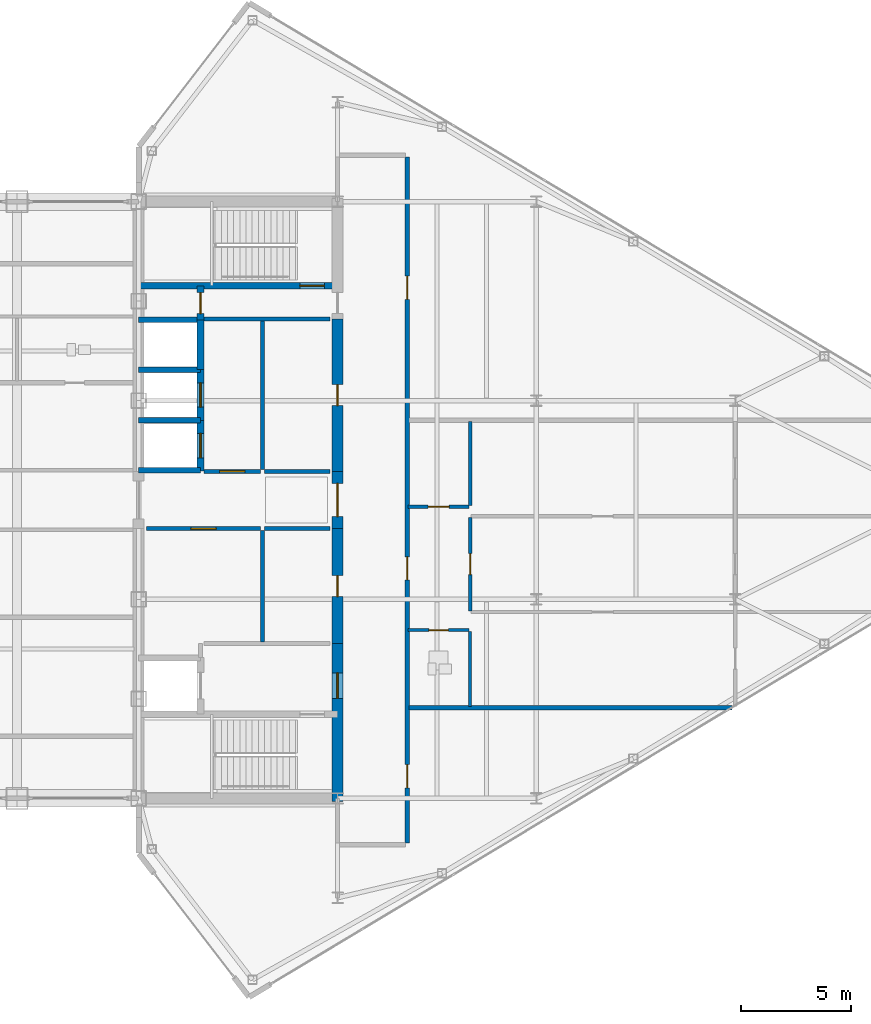
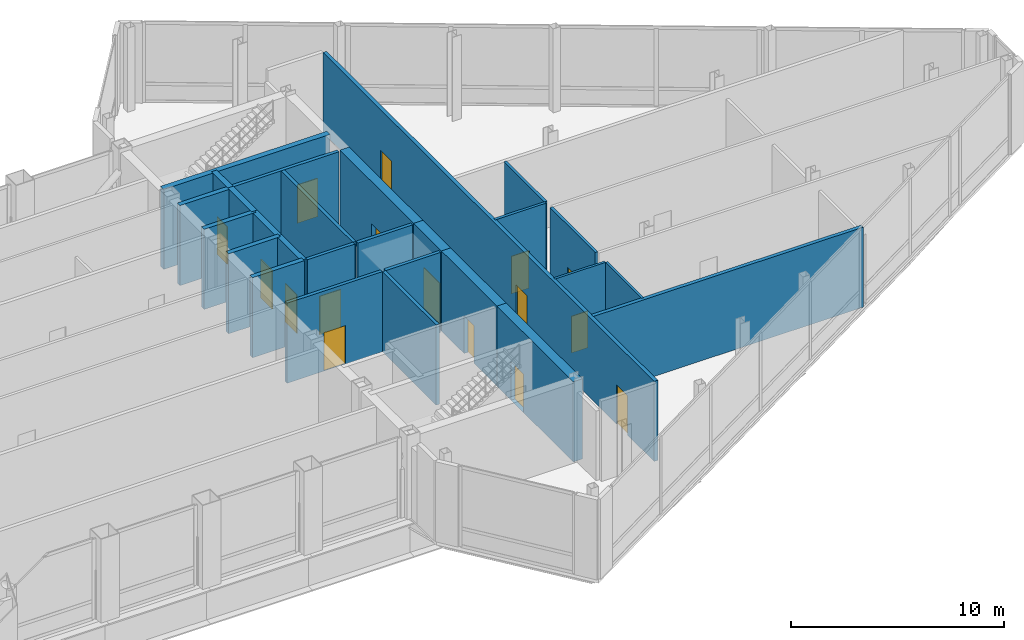
# One storey, part 25 of 30: 27 walls, 16 doors, 16 openings.
"""IFC4 building model written with IfcOpenShell, lengths in metres."""

from ifc_helpers import new_model, si_unit, direction, frame, frame_2d, origin, place, context, subcontext, project, spatial, rectangle, extrude, source, transform, mapped, material, layer, layer_set, type_object, type_shapes, element, fill, save


model = new_model("IFC4")

# Units and contexts
model_context = context("Model", 3, precision=1e-05, world=origin(), true_north=direction((0.0, 1.0)))
body_context = subcontext(model_context, "Body", "Model", "MODEL_VIEW")
ifc_project = project(units=[si_unit("LENGTHUNIT", "METRE"), si_unit("AREAUNIT", "SQUARE_METRE"), si_unit("VOLUMEUNIT", "CUBIC_METRE"), si_unit("PLANEANGLEUNIT", "RADIAN"), si_unit("MASSUNIT", "GRAM", prefix="KILO")], contexts=[model_context])

# Site, building, storey
site_placement = place(None, origin())
site = spatial("IfcSite", under=ifc_project, at=site_placement, CompositionType="ELEMENT")
building_placement = place(site_placement, origin())
building = spatial("IfcBuilding", under=site, at=building_placement, Name="Seokmaru Belvedere", CompositionType="ELEMENT")
storey_placement = place(building_placement, frame((0.0, 0.0, 234.60009765625)))
storey = spatial("IfcBuildingStorey", under=building, at=storey_placement, Name="L62", CompositionType="ELEMENT", Elevation=234.60009765625)

# Wall, opening, door
ifc_material_1 = material(Name="Fire-Rated Gypsum Shaftwall")
ifc_layer_1 = layer(ifc_material_1, 0.14990234375)
ifc_layer_set_1 = layer_set([ifc_layer_1], Name="Fire-Rated Gypsum Shaftwall")
wall_type_1 = type_object("IfcWallType", Name="Apartment Fire-Acoustic Room Partition 150", PredefinedType="PARTITIONING", material=ifc_layer_set_1)
wall_1_placement = place(storey_placement, frame((39.699951171875, -0.300048828125, 0.0), z_axis=(0.0, 0.0, 1.0), x_axis=(1.0, 0.0, 0.0)))
wall_1 = element("IfcWall", 1, at=wall_1_placement, inside=storey, type_object=wall_type_1, Name="L62 Interior Partition 016", PredefinedType="PARTITIONING", context=body_context, shape_type="SweptSolid", body=[
    extrude(rectangle(XDim=2.75, YDim=0.14990234375, at=frame_2d((1.375, 0.0))), origin(), (0.0, 0.0, 1.0), 4.579833984375),
])
opening_1_placement = place(wall_1_placement, frame((0.89990234375, 0.0, 0.0)))
opening_1 = element("IfcOpeningElement", 2, at=opening_1_placement, cuts=wall_1, Name="Opening D05", PredefinedType="OPENING", context=body_context, shape_type="SweptSolid", body=[
    extrude(rectangle(XDim=0.949951171875, YDim=2.14990234375, at=frame_2d((0.47509765625, 1.074951171875))), frame((0.0, 0.0849609375, 0.0), z_axis=(0.0, -1.0, 0.0), x_axis=(1.0, 0.0, 0.0)), (0.0, 0.0, 1.0), 0.169921875),
])
ifc_material_2 = material(Name="Engineered White Oak Timber", Category="wood")
door_type_1 = type_object("IfcDoorType", Name="Apartment Interior Fire-Rated Oak Door 950x2150", OperationType="NOTDEFINED", PredefinedType="DOOR", material=ifc_material_2)
shared_shape_1 = source(origin(), body_context, "Body", "SweptSolid", [
    extrude(rectangle(XDim=0.949951171875, YDim=2.14990234375, at=frame_2d((0.47509765625, 1.074951171875))), frame((0.0, 0.02490234375, 0.0), z_axis=(0.0, -1.0, 0.0), x_axis=(1.0, 0.0, 0.0)), (0.0, 0.0, 1.0), 0.050048828125),
])
type_shapes(door_type_1, [shared_shape_1])
door_1_placement = place(opening_1_placement, origin())
door_1 = element("IfcDoor", 3, at=door_1_placement, inside=storey, type_object=door_type_1, Name="L62 Interior Door 015", OperationType="SINGLE_SWING_RIGHT", OverallHeight=2.14990234375, OverallWidth=0.949951171875, PredefinedType="DOOR", context=body_context, shape_type="MappedRepresentation", body=[
    mapped(shared_shape_1, transform((0.0, 0.0, 0.0), scale=1.0)),
])
fill(opening_1, door_1)

wall_2_placement = place(storey_placement, frame((42.5, -5.01708984375, 0.0), z_axis=(0.0, 0.0, 1.0), x_axis=(0.0, 1.0, 0.0)))
wall_2 = element("IfcWall", 4, at=wall_2_placement, inside=storey, type_object=wall_type_1, Name="L62 Interior Partition 047", PredefinedType="PARTITIONING", context=body_context, shape_type="SweptSolid", body=[
    extrude(rectangle(XDim=4.234130859375, YDim=0.14990234375, at=frame_2d((2.1171875, 0.0))), origin(), (0.0, 0.0, 1.0), 4.579833984375),
])
opening_2_placement = place(wall_2_placement, frame((1.64208984375, 0.0, 0.0)))
opening_2 = element("IfcOpeningElement", 5, at=opening_2_placement, cuts=wall_2, Name="Opening D05", PredefinedType="OPENING", context=body_context, shape_type="SweptSolid", body=[
    extrude(rectangle(XDim=0.949951171875, YDim=2.14990234375, at=frame_2d((0.47509765625, 1.074951171875))), frame((0.0, 0.0849609375, 0.0), z_axis=(0.0, -1.0, 0.0), x_axis=(1.0, 0.0, 0.0)), (0.0, 0.0, 1.0), 0.169921875),
])
door_2_placement = place(opening_2_placement, origin())
door_2 = element("IfcDoor", 6, at=door_2_placement, inside=storey, type_object=door_type_1, Name="L62 Interior Door 016", OperationType="SINGLE_SWING_LEFT", OverallHeight=2.14990234375, OverallWidth=0.949951171875, PredefinedType="DOOR", context=body_context, shape_type="MappedRepresentation", body=[
    mapped(shared_shape_1, transform((0.0, 0.0, 0.0), scale=1.0)),
])
fill(opening_2, door_2)

# Walls
wall_3_placement = place(storey_placement, frame((42.5, -0.248046875, 0.0), z_axis=(0.0, 0.0, 1.0), x_axis=(0.0, 1.0, 0.0)))
element("IfcWall", 7, at=wall_3_placement, inside=storey, type_object=wall_type_1, Name="L62 Interior Partition 048", PredefinedType="PARTITIONING", context=body_context, shape_type="SweptSolid", body=[
    extrude(rectangle(XDim=3.798095703125, YDim=0.14990234375, at=frame_2d((1.89892578125, 0.0))), origin(), (0.0, 0.0, 1.0), 4.579833984375),
])
ifc_layer_2 = layer(ifc_material_1, 0.179931640625)
ifc_layer_set_2 = layer_set([ifc_layer_2], Name="Fire-Rated Gypsum Shaftwall")
wall_type_2 = type_object("IfcWallType", Name="Core Service Fire Partition 180", PredefinedType="PARTITIONING", material=ifc_layer_set_2)
wall_4_placement = place(storey_placement, frame((30.449951171875, 8.199951171875, 0.0), z_axis=(0.0, 0.0, 1.0), x_axis=(1.0, 0.0, 0.0)))
element("IfcWall", 8, at=wall_4_placement, inside=storey, type_object=wall_type_2, Name="L62 East Smokeproof Vestibule Partition", PredefinedType="PARTITIONING", context=body_context, shape_type="SweptSolid", body=[
    extrude(rectangle(XDim=5.699951171875, YDim=0.179931640625, at=frame_2d((2.85009765625, 0.0))), origin(), (0.0, 0.0, 1.0), 4.579833984375),
])
wall_5_placement = place(storey_placement, frame((33.10009765625, -6.419921875, 0.0), z_axis=(0.0, 0.0, 1.0), x_axis=(0.0, 1.0, 0.0)))
element("IfcWall", 9, at=wall_5_placement, inside=storey, type_object=wall_type_2, Name="L62 East South Core Service Back Wall", PredefinedType="PARTITIONING", context=body_context, shape_type="SweptSolid", body=[
    extrude(rectangle(XDim=5.0400390625, YDim=0.179931640625, at=frame_2d((2.52001953125, 0.0))), origin(), (0.0, 0.0, 1.0), 4.579833984375),
])
wall_6_placement = place(storey_placement, frame((33.10009765625, 1.3798828125, 0.0), z_axis=(0.0, 0.0, 1.0), x_axis=(0.0, 1.0, 0.0)))
element("IfcWall", 10, at=wall_6_placement, inside=storey, type_object=wall_type_2, Name="L62 East North Core Service Back Wall", PredefinedType="PARTITIONING", context=body_context, shape_type="SweptSolid", body=[
    extrude(rectangle(XDim=6.740234375, YDim=0.179931640625, at=frame_2d((3.3701171875, 0.0))), origin(), (0.0, 0.0, 1.0), 4.579833984375),
])

# Wall, opening, door
wall_7_placement = place(storey_placement, frame((27.85009765625, -1.300048828125, 0.0), z_axis=(0.0, 0.0, 1.0), x_axis=(1.0, 0.0, 0.0)))
wall_7 = element("IfcWall", 11, at=wall_7_placement, inside=storey, type_object=wall_type_2, Name="L62 East South Lift Lobby Foyer Wall", PredefinedType="PARTITIONING", context=body_context, shape_type="SweptSolid", body=[
    extrude(rectangle(XDim=5.169921875, YDim=0.179931640625, at=frame_2d((2.5849609375, 0.0))), origin(), (0.0, 0.0, 1.0), 4.579833984375),
])
opening_3_placement = place(wall_7_placement, frame((2.010009765625, 0.0, 0.0)))
opening_3 = element("IfcOpeningElement", 12, at=opening_3_placement, cuts=wall_7, Name="Opening D02", PredefinedType="OPENING", context=body_context, shape_type="SweptSolid", body=[
    extrude(rectangle(XDim=1.14990234375, YDim=2.199951171875, at=frame_2d((0.574951171875, 1.10009765625))), frame((0.0, 0.10009765625, 0.0), z_axis=(0.0, -1.0, 0.0), x_axis=(1.0, 0.0, 0.0)), (0.0, 0.0, 1.0), 0.199951171875),
])
ifc_material_3 = material(Name="Fire-Rated Steel Leaf", Category="steel")
door_type_2 = type_object("IfcDoorType", Name="Lobby and Vestibule Fire Door 1150x2200", OperationType="NOTDEFINED", PredefinedType="DOOR", material=ifc_material_3)
shared_shape_2 = source(origin(), body_context, "Body", "SweptSolid", [
    extrude(rectangle(XDim=1.14990234375, YDim=2.199951171875, at=frame_2d((0.574951171875, 1.10009765625))), frame((0.0, 0.02490234375, 0.0), z_axis=(0.0, -1.0, 0.0), x_axis=(1.0, 0.0, 0.0)), (0.0, 0.0, 1.0), 0.050048828125),
])
type_shapes(door_type_2, [shared_shape_2])
door_3_placement = place(opening_3_placement, origin())
door_3 = element("IfcDoor", 13, at=door_3_placement, inside=storey, type_object=door_type_2, Name="L62 East South Core Foyer Door", OperationType="SINGLE_SWING_RIGHT", OverallHeight=2.199951171875, OverallWidth=1.14990234375, PredefinedType="DOOR", context=body_context, shape_type="MappedRepresentation", body=[
    mapped(shared_shape_2, transform((0.0, 0.0, 0.0), scale=1.0)),
])
fill(opening_3, door_3)

wall_8_placement = place(storey_placement, frame((30.449951171875, 1.300048828125, 0.0), z_axis=(0.0, 0.0, 1.0), x_axis=(1.0, 0.0, 0.0)))
wall_8 = element("IfcWall", 14, at=wall_8_placement, inside=storey, type_object=wall_type_2, Name="L62 East North Lift Lobby Foyer Wall", PredefinedType="PARTITIONING", context=body_context, shape_type="SweptSolid", body=[
    extrude(rectangle(XDim=2.570068359375, YDim=0.179931640625, at=frame_2d((1.28515625, 0.0))), origin(), (0.0, 0.0, 1.0), 4.579833984375),
])
opening_4_placement = place(wall_8_placement, frame((0.7099609375, 0.0, 0.0)))
opening_4 = element("IfcOpeningElement", 15, at=opening_4_placement, cuts=wall_8, Name="Opening D02", PredefinedType="OPENING", context=body_context, shape_type="SweptSolid", body=[
    extrude(rectangle(XDim=1.14990234375, YDim=2.199951171875, at=frame_2d((0.574951171875, 1.10009765625))), frame((0.0, 0.10009765625, 0.0), z_axis=(0.0, -1.0, 0.0), x_axis=(1.0, 0.0, 0.0)), (0.0, 0.0, 1.0), 0.199951171875),
])
door_4_placement = place(opening_4_placement, origin())
door_4 = element("IfcDoor", 16, at=door_4_placement, inside=storey, type_object=door_type_2, Name="L62 East North Lift Lobby Door", OperationType="SINGLE_SWING_LEFT", OverallHeight=2.199951171875, OverallWidth=1.14990234375, PredefinedType="DOOR", context=body_context, shape_type="MappedRepresentation", body=[
    mapped(shared_shape_2, transform((0.0, 0.0, 0.0), scale=1.0)),
])
fill(opening_4, door_4)

# Walls
for number, where, z_axis, x_axis, name in (
    (17, (33.199951171875, -1.300048828125, 0.0), (0.0, 0.0, 1.0), (1.0, 0.0, 0.0), "L62 East Foyer Side Wall S"),
    (18, (33.199951171875, 1.300048828125, 0.0), (0.0, 0.0, 1.0), (1.0, 0.0, 0.0), "L62 East Foyer Side Wall N"),
):
    element("IfcWall", number, at=place(storey_placement, frame(where, z_axis=z_axis, x_axis=x_axis)), inside=storey, type_object=wall_type_2, Name=name, PredefinedType="PARTITIONING", context=body_context, shape_type="SweptSolid", body=[
        extrude(rectangle(XDim=2.949951171875, YDim=0.179931640625, at=frame_2d((1.47509765625, 0.0))), origin(), (0.0, 0.0, 1.0), 4.579833984375),
    ])
ifc_material_4 = material(Name="Concrete C50 (50 MPa)", Category="concrete")
ifc_layer_3 = layer(ifc_material_4, 0.25)
ifc_layer_set_3 = layer_set([ifc_layer_3], Name="Concrete C50 (50 MPa)")
wall_type_3 = type_object("IfcWallType", Name="Hoistway Transverse Concrete Divider Wall 250", PredefinedType="SHEAR", material=ifc_layer_set_3)
for number, where, z_axis, x_axis, name in (
    (19, (27.5, 1.35009765625, 0.0), (0.0, 0.0, 1.0), (1.0, 0.0, 0.0), "L62 East Hoistway Divider Core Wall 2"),
    (20, (27.5, 3.60009765625, 0.0), (0.0, 0.0, 1.0), (1.0, 0.0, 0.0), "L62 East Hoistway Divider Core Wall 3"),
    (21, (27.5, 5.89990234375, 0.0), (0.0, 0.0, 1.0), (1.0, 0.0, 0.0), "L62 East Hoistway Divider Core Wall 4"),
    (22, (27.5, 8.14990234375, 0.0), (0.0, 0.0, 1.0), (1.0, 0.0, 0.0), "L62 East Hoistway Divider Core Wall 5"),
):
    element("IfcWall", number, at=place(storey_placement, frame(where, z_axis=z_axis, x_axis=x_axis)), inside=storey, type_object=wall_type_3, Name=name, PredefinedType="SHEAR", context=body_context, shape_type="SweptSolid", body=[
        extrude(rectangle(XDim=2.800048828125, YDim=0.25, at=frame_2d((1.39990234375, 0.0))), origin(), (0.0, 0.0, 1.0), 4.579833984375),
    ])
ifc_layer_4 = layer(ifc_material_1, 0.199951171875)
ifc_layer_set_4 = layer_set([ifc_layer_4], Name="Fire-Rated Gypsum Shaftwall")
wall_type_4 = type_object("IfcWallType", Name="Inter-Tenancy Fire Compartment Partition 200", PredefinedType="PARTITIONING", material=ifc_layer_set_4)
wall_9_placement = place(storey_placement, frame((39.72998046875, -9.39990234375, 0.0), z_axis=(0.0, 0.0, 1.0), x_axis=(1.0, 0.0, 0.0)))
element("IfcWall", 23, at=wall_9_placement, inside=storey, type_object=wall_type_4, Name="L62 Interior Partition 005", PredefinedType="PARTITIONING", context=body_context, shape_type="SweptSolid", body=[
    extrude(rectangle(XDim=14.613037109375, YDim=0.199951171875, at=frame_2d((7.306640625, 0.0))), origin(), (0.0, 0.0, 1.0), 4.579833984375),
])

# Wall, openings, doors
wall_10_placement = place(storey_placement, frame((39.64990234375, -15.514892578125, 0.0), z_axis=(0.0, 0.0, 1.0), x_axis=(0.0, 1.0, 0.0)))
wall_10 = element("IfcWall", 24, at=wall_10_placement, inside=storey, type_object=wall_type_4, Name="L62 Interior Partition 045", PredefinedType="PARTITIONING", context=body_context, shape_type="SweptSolid", body=[
    extrude(rectangle(XDim=31.02978515625, YDim=0.199951171875, at=frame_2d((15.514892578125, 0.0))), origin(), (0.0, 0.0, 1.0), 4.579833984375),
])
opening_5_placement = place(wall_10_placement, frame((2.489990234375, 0.0, 0.0)))
opening_5 = element("IfcOpeningElement", 25, at=opening_5_placement, cuts=wall_10, Name="Opening D03", PredefinedType="OPENING", context=body_context, shape_type="SweptSolid", body=[
    extrude(rectangle(XDim=1.050048828125, YDim=2.25, at=frame_2d((0.52490234375, 1.125))), frame((0.0, 0.10986328125, 0.0), z_axis=(0.0, -1.0, 0.0), x_axis=(1.0, 0.0, 0.0)), (0.0, 0.0, 1.0), 0.219970703125),
])
opening_6_placement = place(wall_10_placement, frame((11.89501953125, 0.0, 0.0)))
opening_6 = element("IfcOpeningElement", 26, at=opening_6_placement, cuts=wall_10, Name="Opening D03", PredefinedType="OPENING", context=body_context, shape_type="SweptSolid", body=[
    extrude(rectangle(XDim=1.050048828125, YDim=2.25, at=frame_2d((0.52490234375, 1.125))), frame((0.0, 0.10986328125, 0.0), z_axis=(0.0, -1.0, 0.0), x_axis=(1.0, 0.0, 0.0)), (0.0, 0.0, 1.0), 0.219970703125),
])
opening_7_placement = place(wall_10_placement, frame((24.590087890625, 0.0, 0.0)))
opening_7 = element("IfcOpeningElement", 27, at=opening_7_placement, cuts=wall_10, Name="Opening D03", PredefinedType="OPENING", context=body_context, shape_type="SweptSolid", body=[
    extrude(rectangle(XDim=1.050048828125, YDim=2.25, at=frame_2d((0.52490234375, 1.125))), frame((0.0, 0.10986328125, 0.0), z_axis=(0.0, -1.0, 0.0), x_axis=(1.0, 0.0, 0.0)), (0.0, 0.0, 1.0), 0.219970703125),
])
door_type_3 = type_object("IfcDoorType", Name="Apartment Entrance Fire Door 1050x2250", OperationType="NOTDEFINED", PredefinedType="DOOR", material=ifc_material_3)
shared_shape_3 = source(origin(), body_context, "Body", "SweptSolid", [
    extrude(rectangle(XDim=1.050048828125, YDim=2.25, at=frame_2d((0.52490234375, 1.125))), frame((0.0, 0.02490234375, 0.0), z_axis=(0.0, -1.0, 0.0), x_axis=(1.0, 0.0, 0.0)), (0.0, 0.0, 1.0), 0.050048828125),
])
type_shapes(door_type_3, [shared_shape_3])
door_5_placement = place(opening_5_placement, origin())
door_5 = element("IfcDoor", 28, at=door_5_placement, inside=storey, type_object=door_type_3, Name="L62 Interior Door 012", OperationType="SINGLE_SWING_LEFT", OverallHeight=2.25, OverallWidth=1.050048828125, PredefinedType="DOOR", context=body_context, shape_type="MappedRepresentation", body=[
    mapped(shared_shape_3, transform((0.0, 0.0, 0.0), scale=1.0)),
])
fill(opening_5, door_5)
door_6_placement = place(opening_6_placement, origin())
door_6 = element("IfcDoor", 29, at=door_6_placement, inside=storey, type_object=door_type_3, Name="L62 Interior Door 013", OperationType="SINGLE_SWING_RIGHT", OverallHeight=2.25, OverallWidth=1.050048828125, PredefinedType="DOOR", context=body_context, shape_type="MappedRepresentation", body=[
    mapped(shared_shape_3, transform((0.0, 0.0, 0.0), scale=1.0)),
])
fill(opening_6, door_6)
door_7_placement = place(opening_7_placement, origin())
door_7 = element("IfcDoor", 30, at=door_7_placement, inside=storey, type_object=door_type_3, Name="L62 Interior Door 022", OperationType="SINGLE_SWING_LEFT", OverallHeight=2.25, OverallWidth=1.050048828125, PredefinedType="DOOR", context=body_context, shape_type="MappedRepresentation", body=[
    mapped(shared_shape_3, transform((0.0, 0.0, 0.0), scale=1.0)),
])
fill(opening_7, door_7)

# Wall, opening, door
ifc_layer_5 = layer(ifc_material_4, 0.300048828125)
ifc_layer_set_5 = layer_set([ifc_layer_5], Name="Concrete C50 (50 MPa)")
wall_type_5 = type_object("IfcWallType", Name="Internal Core Stair and Hoistway Wall 300", PredefinedType="SHEAR", material=ifc_layer_set_5)
wall_11_placement = place(storey_placement, frame((27.5, 9.699951171875, 0.0), z_axis=(0.0, 0.0, 1.0), x_axis=(1.0, 0.0, 0.0)))
wall_11 = element("IfcWall", 31, at=wall_11_placement, inside=storey, type_object=wall_type_5, Name="L62 East Stair ST-2 Enclosure Wall", PredefinedType="SHEAR", context=body_context, shape_type="SweptSolid", body=[
    extrude(rectangle(XDim=9.0, YDim=0.300048828125, at=frame_2d((4.5, 0.0))), origin(), (0.0, 0.0, 1.0), 4.579833984375),
])
opening_8_placement = place(wall_11_placement, frame((7.300048828125, 0.0, 0.0)))
opening_8 = element("IfcOpeningElement", 32, at=opening_8_placement, cuts=wall_11, Name="Opening D01", PredefinedType="OPENING", context=body_context, shape_type="SweptSolid", body=[
    extrude(rectangle(XDim=1.10009765625, YDim=2.199951171875, at=frame_2d((0.550048828125, 1.10009765625))), frame((0.0, 0.16015625, 0.0), z_axis=(0.0, -1.0, 0.0), x_axis=(1.0, 0.0, 0.0)), (0.0, 0.0, 1.0), 0.320068359375),
])
door_type_4 = type_object("IfcDoorType", Name="Special Escape Stair Smokeproof Fire Door 1100x2200", OperationType="NOTDEFINED", PredefinedType="DOOR", material=ifc_material_3)
shared_shape_4 = source(origin(), body_context, "Body", "SweptSolid", [
    extrude(rectangle(XDim=1.10009765625, YDim=2.199951171875, at=frame_2d((0.550048828125, 1.10009765625))), frame((0.0, 0.02490234375, 0.0), z_axis=(0.0, -1.0, 0.0), x_axis=(1.0, 0.0, 0.0)), (0.0, 0.0, 1.0), 0.050048828125),
])
type_shapes(door_type_4, [shared_shape_4])
door_8_placement = place(opening_8_placement, origin())
door_8 = element("IfcDoor", 33, at=door_8_placement, inside=storey, type_object=door_type_4, Name="L62 East Special Escape Stair ST-2 Door", OperationType="SINGLE_SWING_LEFT", OverallHeight=2.199951171875, OverallWidth=1.10009765625, PredefinedType="DOOR", context=body_context, shape_type="MappedRepresentation", body=[
    mapped(shared_shape_4, transform((0.0, 0.0, 0.0), scale=1.0)),
])
fill(opening_8, door_8)

wall_12_placement = place(storey_placement, frame((30.300048828125, 1.320068359375, 0.0), z_axis=(0.0, 0.0, 1.0), x_axis=(0.0, 1.0, 0.0)))
wall_12 = element("IfcWall", 34, at=wall_12_placement, inside=storey, type_object=wall_type_5, Name="L62 East North Hoistway Wall PH1", PredefinedType="SHEAR", context=body_context, shape_type="SweptSolid", body=[
    extrude(rectangle(XDim=2.280029296875, YDim=0.300048828125, at=frame_2d((1.14013671875, 0.0))), origin(), (0.0, 0.0, 1.0), 4.579833984375),
])
opening_9_placement = place(wall_12_placement, frame((0.590087890625, 0.0, 0.0)))
opening_9 = element("IfcOpeningElement", 35, at=opening_9_placement, cuts=wall_12, Name="Opening LD1", PredefinedType="OPENING", context=body_context, shape_type="SweptSolid", body=[
    extrude(rectangle(XDim=1.10009765625, YDim=2.199951171875, at=frame_2d((0.550048828125, 1.10009765625))), frame((0.0, 0.16015625, 0.0), z_axis=(0.0, -1.0, 0.0), x_axis=(1.0, 0.0, 0.0)), (0.0, 0.0, 1.0), 0.320068359375),
])
ifc_material_5 = material(Name="Stainless Steel 316", Category="steel")
door_type_5 = type_object("IfcDoorType", Name="Passenger Lift Sliding Landing Door 1100x2200", OperationType="DOUBLE_DOOR_SLIDING", PredefinedType="DOOR", material=ifc_material_5)
shared_shape_5 = source(origin(), body_context, "Body", "SweptSolid", [
    extrude(rectangle(XDim=1.10009765625, YDim=2.199951171875, at=frame_2d((0.550048828125, 1.10009765625))), frame((0.0, 0.02490234375, 0.0), z_axis=(0.0, -1.0, 0.0), x_axis=(1.0, 0.0, 0.0)), (0.0, 0.0, 1.0), 0.050048828125),
])
type_shapes(door_type_5, [shared_shape_5])
door_9_placement = place(opening_9_placement, origin())
door_9 = element("IfcDoor", 36, at=door_9_placement, inside=storey, type_object=door_type_5, Name="L62 East High-Rise Lift PH-1 Landing Door", OperationType="DOUBLE_DOOR_SLIDING", OverallHeight=2.199951171875, OverallWidth=1.10009765625, PredefinedType="DOOR", context=body_context, shape_type="MappedRepresentation", body=[
    mapped(shared_shape_5, transform((0.0, 0.0, 0.0), scale=1.0)),
])
fill(opening_9, door_9)

wall_13_placement = place(storey_placement, frame((30.300048828125, 3.60009765625, 0.0), z_axis=(0.0, 0.0, 1.0), x_axis=(0.0, 1.0, 0.0)))
wall_13 = element("IfcWall", 37, at=wall_13_placement, inside=storey, type_object=wall_type_5, Name="L62 East North Hoistway Wall PH2", PredefinedType="SHEAR", context=body_context, shape_type="SweptSolid", body=[
    extrude(rectangle(XDim=2.2998046875, YDim=0.300048828125, at=frame_2d((1.14990234375, 0.0))), origin(), (0.0, 0.0, 1.0), 4.579833984375),
])
opening_10_placement = place(wall_13_placement, frame((0.60009765625, 0.0, 0.0)))
opening_10 = element("IfcOpeningElement", 38, at=opening_10_placement, cuts=wall_13, Name="Opening LD1", PredefinedType="OPENING", context=body_context, shape_type="SweptSolid", body=[
    extrude(rectangle(XDim=1.10009765625, YDim=2.199951171875, at=frame_2d((0.550048828125, 1.10009765625))), frame((0.0, 0.16015625, 0.0), z_axis=(0.0, -1.0, 0.0), x_axis=(1.0, 0.0, 0.0)), (0.0, 0.0, 1.0), 0.320068359375),
])
door_10_placement = place(opening_10_placement, origin())
door_10 = element("IfcDoor", 39, at=door_10_placement, inside=storey, type_object=door_type_5, Name="L62 East High-Rise Lift PH-2 Landing Door", OperationType="DOUBLE_DOOR_SLIDING", OverallHeight=2.199951171875, OverallWidth=1.10009765625, PredefinedType="DOOR", context=body_context, shape_type="MappedRepresentation", body=[
    mapped(shared_shape_5, transform((0.0, 0.0, 0.0), scale=1.0)),
])
fill(opening_10, door_10)

# Wall
wall_14_placement = place(storey_placement, frame((30.300048828125, 5.89990234375, 0.0), z_axis=(0.0, 0.0, 1.0), x_axis=(0.0, 1.0, 0.0)))
element("IfcWall", 40, at=wall_14_placement, inside=storey, type_object=wall_type_5, Name="L62 East North Hoistway Wall OBS", PredefinedType="SHEAR", context=body_context, shape_type="SweptSolid", body=[
    extrude(rectangle(XDim=2.25, YDim=0.300048828125, at=frame_2d((1.125, 0.0))), origin(), (0.0, 0.0, 1.0), 4.579833984375),
])

# Wall, opening, door
wall_15_placement = place(storey_placement, frame((30.300048828125, 8.14990234375, 0.0), z_axis=(0.0, 0.0, 1.0), x_axis=(0.0, 1.0, 0.0)))
wall_15 = element("IfcWall", 41, at=wall_15_placement, inside=storey, type_object=wall_type_5, Name="L62 East Electrical Riser Front Wall", PredefinedType="SHEAR", context=body_context, shape_type="SweptSolid", body=[
    extrude(rectangle(XDim=1.530029296875, YDim=0.300048828125, at=frame_2d((0.76513671875, 0.0))), origin(), (0.0, 0.0, 1.0), 4.579833984375),
])
opening_11_placement = place(wall_15_placement, frame((0.284912109375, 0.0, 0.0)))
opening_11 = element("IfcOpeningElement", 42, at=opening_11_placement, cuts=wall_15, Name="Opening D04", PredefinedType="OPENING", context=body_context, shape_type="SweptSolid", body=[
    extrude(rectangle(XDim=0.949951171875, YDim=2.14990234375, at=frame_2d((0.47509765625, 1.074951171875))), frame((0.0, 0.16015625, 0.0), z_axis=(0.0, -1.0, 0.0), x_axis=(1.0, 0.0, 0.0)), (0.0, 0.0, 1.0), 0.320068359375),
])
door_type_6 = type_object("IfcDoorType", Name="Core Service Room Fire Door 950x2150", OperationType="NOTDEFINED", PredefinedType="DOOR", material=ifc_material_3)
shared_shape_6 = source(origin(), body_context, "Body", "SweptSolid", [
    extrude(rectangle(XDim=0.949951171875, YDim=2.14990234375, at=frame_2d((0.47509765625, 1.074951171875))), frame((0.0, 0.02490234375, 0.0), z_axis=(0.0, -1.0, 0.0), x_axis=(1.0, 0.0, 0.0)), (0.0, 0.0, 1.0), 0.050048828125),
])
type_shapes(door_type_6, [shared_shape_6])
door_11_placement = place(opening_11_placement, origin())
door_11 = element("IfcDoor", 43, at=door_11_placement, inside=storey, type_object=door_type_6, Name="L62 East Electrical Riser Access Door", OperationType="SINGLE_SWING_RIGHT", OverallHeight=2.14990234375, OverallWidth=0.949951171875, PredefinedType="DOOR", context=body_context, shape_type="MappedRepresentation", body=[
    mapped(shared_shape_6, transform((0.0, 0.0, 0.0), scale=1.0)),
])
fill(opening_11, door_11)

ifc_layer_6 = layer(ifc_material_1, 0.1298828125)
ifc_layer_set_6 = layer_set([ifc_layer_6], Name="Fire-Rated Gypsum Shaftwall")
wall_type_6 = type_object("IfcWallType", Name="Moisture-Resistant Fire-Rated Bathroom Partition 130", PredefinedType="PARTITIONING", material=ifc_layer_set_6)
wall_16_placement = place(storey_placement, frame((39.699951171875, -5.889892578125, 0.0), z_axis=(0.0, 0.0, 1.0), x_axis=(1.0, 0.0, 0.0)))
wall_16 = element("IfcWall", 44, at=wall_16_placement, inside=storey, type_object=wall_type_6, Name="L62 Interior Partition 007", PredefinedType="PARTITIONING", context=body_context, shape_type="SweptSolid", body=[
    extrude(rectangle(XDim=2.75, YDim=0.1298828125, at=frame_2d((1.375, 0.0))), origin(), (0.0, 0.0, 1.0), 4.579833984375),
])
opening_12_placement = place(wall_16_placement, frame((0.93505859375, 0.0, 0.0)))
opening_12 = element("IfcOpeningElement", 45, at=opening_12_placement, cuts=wall_16, Name="Opening D06", PredefinedType="OPENING", context=body_context, shape_type="SweptSolid", body=[
    extrude(rectangle(XDim=0.8798828125, YDim=2.10009765625, at=frame_2d((0.43994140625, 1.050048828125))), frame((0.0, 0.074951171875, 0.0), z_axis=(0.0, -1.0, 0.0), x_axis=(1.0, 0.0, 0.0)), (0.0, 0.0, 1.0), 0.14990234375),
])
door_type_7 = type_object("IfcDoorType", Name="Bathroom and Restroom Fire-Rated Door 880x2100", OperationType="NOTDEFINED", PredefinedType="DOOR", material=ifc_material_2)
shared_shape_7 = source(origin(), body_context, "Body", "SweptSolid", [
    extrude(rectangle(XDim=0.8798828125, YDim=2.10009765625, at=frame_2d((0.43994140625, 1.050048828125))), frame((0.0, 0.02490234375, 0.0), z_axis=(0.0, -1.0, 0.0), x_axis=(1.0, 0.0, 0.0)), (0.0, 0.0, 1.0), 0.050048828125),
])
type_shapes(door_type_7, [shared_shape_7])
door_12_placement = place(opening_12_placement, origin())
door_12 = element("IfcDoor", 46, at=door_12_placement, inside=storey, type_object=door_type_7, Name="L62 Interior Door 014", OperationType="SINGLE_SWING_RIGHT", OverallHeight=2.10009765625, OverallWidth=0.8798828125, PredefinedType="DOOR", context=body_context, shape_type="MappedRepresentation", body=[
    mapped(shared_shape_7, transform((0.0, 0.0, 0.0), scale=1.0)),
])
fill(opening_12, door_12)

# Wall
wall_17_placement = place(storey_placement, frame((42.5, -9.35009765625, 0.0), z_axis=(0.0, 0.0, 1.0), x_axis=(0.0, 1.0, 0.0)))
element("IfcWall", 47, at=wall_17_placement, inside=storey, type_object=wall_type_6, Name="L62 Interior Partition 046", PredefinedType="PARTITIONING", context=body_context, shape_type="SweptSolid", body=[
    extrude(rectangle(XDim=3.408203125, YDim=0.1298828125, at=frame_2d((1.7041015625, 0.0))), origin(), (0.0, 0.0, 1.0), 4.579833984375),
])

# Wall, opening, door
ifc_layer_7 = layer(ifc_material_4, 0.5)
ifc_layer_set_7 = layer_set([ifc_layer_7], Name="Concrete C50 (50 MPa)")
wall_type_7 = type_object("IfcWallType", Name="Upper Tower Reinforced Concrete Core Wall 500", PredefinedType="SHEAR", material=ifc_layer_set_7)
wall_18_placement = place(storey_placement, frame((36.5, -13.64990234375, 0.0), z_axis=(0.0, 0.0, 1.0), x_axis=(0.0, 1.0, 0.0)))
wall_18 = element("IfcWall", 48, at=wall_18_placement, inside=storey, type_object=wall_type_7, Name="L62 East West Core Wall FF", PredefinedType="SHEAR", context=body_context, shape_type="SweptSolid", body=[
    extrude(rectangle(XDim=7.14990234375, YDim=0.5, at=frame_2d((3.574951171875, 0.0))), origin(), (0.0, 0.0, 1.0), 4.579833984375),
])
opening_13_placement = place(wall_18_placement, frame((4.675048828125, 0.0, 0.0)))
opening_13 = element("IfcOpeningElement", 49, at=opening_13_placement, cuts=wall_18, Name="Opening D02", PredefinedType="OPENING", context=body_context, shape_type="SweptSolid", body=[
    extrude(rectangle(XDim=1.14990234375, YDim=2.199951171875, at=frame_2d((0.574951171875, 1.10009765625))), frame((0.0, 0.260009765625, 0.0), z_axis=(0.0, -1.0, 0.0), x_axis=(1.0, 0.0, 0.0)), (0.0, 0.0, 1.0), 0.52001953125),
])
door_13_placement = place(opening_13_placement, origin())
door_13 = element("IfcDoor", 50, at=door_13_placement, inside=storey, type_object=door_type_2, Name="L62 East Firefighting Lobby Door", OperationType="SINGLE_SWING_RIGHT", OverallHeight=2.199951171875, OverallWidth=1.14990234375, PredefinedType="DOOR", context=body_context, shape_type="MappedRepresentation", body=[
    mapped(shared_shape_2, transform((0.0, 0.0, 0.0), scale=1.0)),
])
fill(opening_13, door_13)

wall_19_placement = place(storey_placement, frame((36.5, -1.300048828125, 0.0), z_axis=(0.0, 0.0, 1.0), x_axis=(0.0, 1.0, 0.0)))
wall_19 = element("IfcWall", 51, at=wall_19_placement, inside=storey, type_object=wall_type_7, Name="L62 East West Core Wall FOY", PredefinedType="SHEAR", context=body_context, shape_type="SweptSolid", body=[
    extrude(rectangle(XDim=2.60009765625, YDim=0.5, at=frame_2d((1.300048828125, 0.0))), origin(), (0.0, 0.0, 1.0), 4.579833984375),
])
opening_14_placement = place(wall_19_placement, frame((0.550048828125, 0.0, 0.0)))
opening_14 = element("IfcOpeningElement", 52, at=opening_14_placement, cuts=wall_19, Name="Opening D08", PredefinedType="OPENING", context=body_context, shape_type="SweptSolid", body=[
    extrude(rectangle(XDim=1.5, YDim=2.300048828125, at=frame_2d((0.75, 1.14990234375))), frame((0.0, 0.260009765625, 0.0), z_axis=(0.0, -1.0, 0.0), x_axis=(1.0, 0.0, 0.0)), (0.0, 0.0, 1.0), 0.52001953125),
])
door_type_8 = type_object("IfcDoorType", Name="Cross-Corridor Compartment Double Fire Door 1500x2300", OperationType="DOUBLE_SWING_LEFT", PredefinedType="DOOR", material=ifc_material_3)
shared_shape_8 = source(origin(), body_context, "Body", "SweptSolid", [
    extrude(rectangle(XDim=1.5, YDim=2.300048828125, at=frame_2d((0.75, 1.14990234375))), frame((0.0, 0.02490234375, 0.0), z_axis=(0.0, -1.0, 0.0), x_axis=(1.0, 0.0, 0.0)), (0.0, 0.0, 1.0), 0.050048828125),
])
type_shapes(door_type_8, [shared_shape_8])
door_14_placement = place(opening_14_placement, origin())
door_14 = element("IfcDoor", 53, at=door_14_placement, inside=storey, type_object=door_type_8, Name="L62 East Core Foyer Compartment Door", OperationType="DOUBLE_SWING_LEFT", OverallHeight=2.300048828125, OverallWidth=1.5, PredefinedType="DOOR", context=body_context, shape_type="MappedRepresentation", body=[
    mapped(shared_shape_8, transform((0.0, 0.0, 0.0), scale=1.0)),
])
fill(opening_14, door_14)

wall_20_placement = place(storey_placement, frame((36.5, -6.5, 0.0), z_axis=(0.0, 0.0, 1.0), x_axis=(0.0, 1.0, 0.0)))
wall_20 = element("IfcWall", 54, at=wall_20_placement, inside=storey, type_object=wall_type_7, Name="L62 East West Core Wall CS1", PredefinedType="SHEAR", context=body_context, shape_type="SweptSolid", body=[
    extrude(rectangle(XDim=5.199951171875, YDim=0.5, at=frame_2d((2.60009765625, 0.0))), origin(), (0.0, 0.0, 1.0), 4.579833984375),
])
opening_15_placement = place(wall_20_placement, frame((2.125, 0.0, 0.0)))
opening_15 = element("IfcOpeningElement", 55, at=opening_15_placement, cuts=wall_20, Name="Opening D04", PredefinedType="OPENING", context=body_context, shape_type="SweptSolid", body=[
    extrude(rectangle(XDim=0.949951171875, YDim=2.14990234375, at=frame_2d((0.47509765625, 1.074951171875))), frame((0.0, 0.260009765625, 0.0), z_axis=(0.0, -1.0, 0.0), x_axis=(1.0, 0.0, 0.0)), (0.0, 0.0, 1.0), 0.52001953125),
])
door_15_placement = place(opening_15_placement, origin())
door_15 = element("IfcDoor", 56, at=door_15_placement, inside=storey, type_object=door_type_6, Name="L62 East Core Service Room Door 1", OperationType="SINGLE_SWING_RIGHT", OverallHeight=2.14990234375, OverallWidth=0.949951171875, PredefinedType="DOOR", context=body_context, shape_type="MappedRepresentation", body=[
    mapped(shared_shape_6, transform((0.0, 0.0, 0.0), scale=1.0)),
])
fill(opening_15, door_15)

wall_21_placement = place(storey_placement, frame((36.5, 1.300048828125, 0.0), z_axis=(0.0, 0.0, 1.0), x_axis=(0.0, 1.0, 0.0)))
wall_21 = element("IfcWall", 57, at=wall_21_placement, inside=storey, type_object=wall_type_7, Name="L62 East West Core Wall CS2", PredefinedType="SHEAR", context=body_context, shape_type="SweptSolid", body=[
    extrude(rectangle(XDim=6.89990234375, YDim=0.5, at=frame_2d((3.449951171875, 0.0))), origin(), (0.0, 0.0, 1.0), 4.579833984375),
])
opening_16_placement = place(wall_21_placement, frame((2.97509765625, 0.0, 0.0)))
opening_16 = element("IfcOpeningElement", 58, at=opening_16_placement, cuts=wall_21, Name="Opening D04", PredefinedType="OPENING", context=body_context, shape_type="SweptSolid", body=[
    extrude(rectangle(XDim=0.949951171875, YDim=2.14990234375, at=frame_2d((0.47509765625, 1.074951171875))), frame((0.0, 0.260009765625, 0.0), z_axis=(0.0, -1.0, 0.0), x_axis=(1.0, 0.0, 0.0)), (0.0, 0.0, 1.0), 0.52001953125),
])
door_16_placement = place(opening_16_placement, origin())
door_16 = element("IfcDoor", 59, at=door_16_placement, inside=storey, type_object=door_type_6, Name="L62 East Core Service Room Door 2", OperationType="SINGLE_SWING_LEFT", OverallHeight=2.14990234375, OverallWidth=0.949951171875, PredefinedType="DOOR", context=body_context, shape_type="MappedRepresentation", body=[
    mapped(shared_shape_6, transform((0.0, 0.0, 0.0), scale=1.0)),
])
fill(opening_16, door_16)

save(model, "model.ifc")
